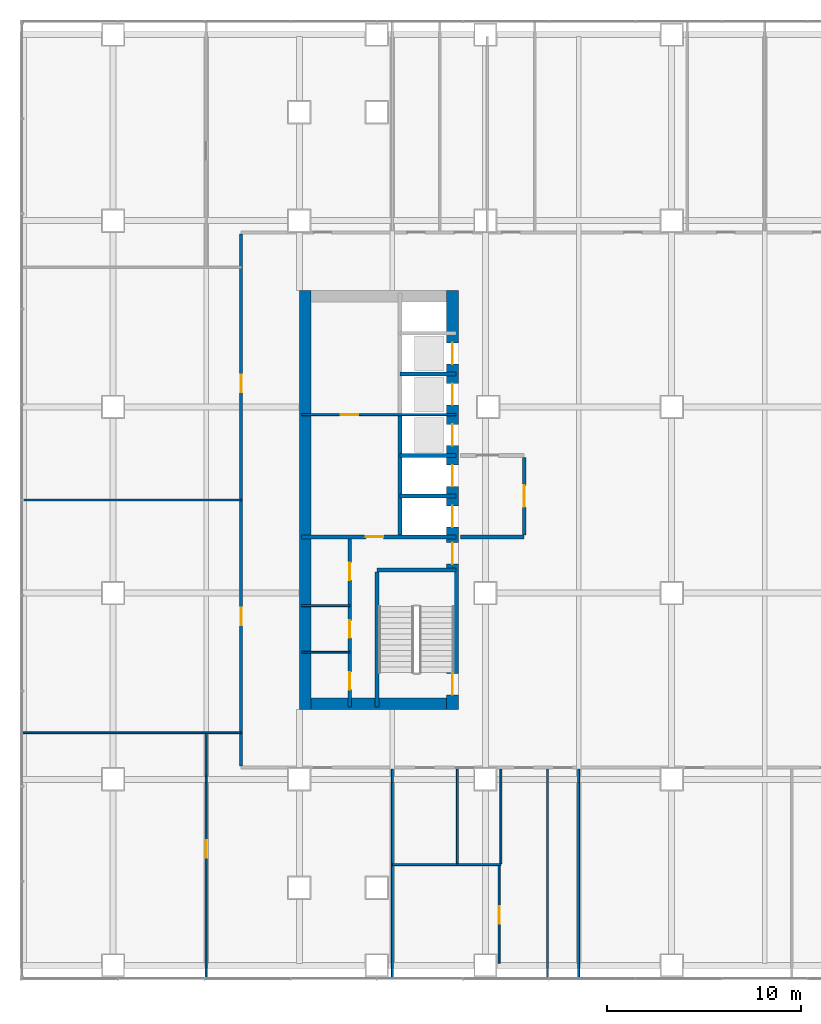
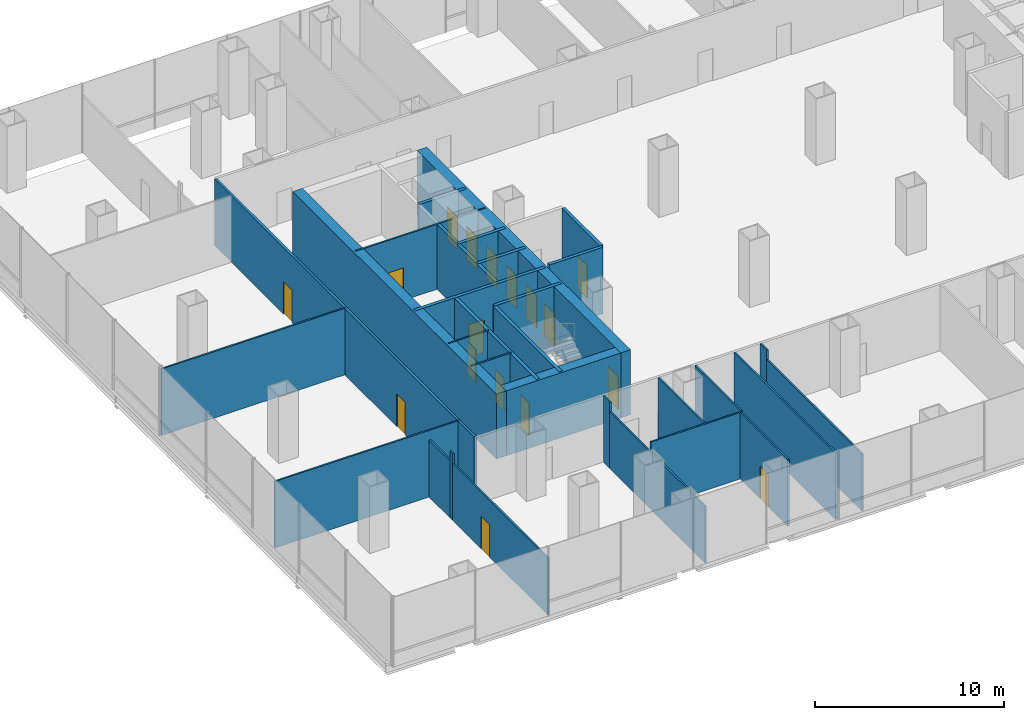
# One storey, part 16 of 23: 31 walls, 17 doors, 17 openings.
"""IFC4 building model written with IfcOpenShell, lengths in metres."""

from ifc_helpers import new_model, si_unit, direction, frame, frame_2d, origin, place, context, subcontext, project, spatial, rectangle, extrude, material, layer, layer_set, type_object, element, fill, save


model = new_model("IFC4")

# Units and contexts
model_context = context("Model", 3, precision=1e-05, world=origin(), true_north=direction((0.0, 1.0)))
body_context = subcontext(model_context, "Body", "Model", "MODEL_VIEW")
ifc_project = project(units=[si_unit("LENGTHUNIT", "METRE"), si_unit("AREAUNIT", "SQUARE_METRE"), si_unit("VOLUMEUNIT", "CUBIC_METRE"), si_unit("PLANEANGLEUNIT", "RADIAN"), si_unit("MASSUNIT", "GRAM", prefix="KILO")], contexts=[model_context])

# Site, building, storey
site_placement = place(None, origin())
site = spatial("IfcSite", under=ifc_project, at=site_placement, CompositionType="ELEMENT")
building_placement = place(site_placement, origin())
building = spatial("IfcBuilding", under=site, at=building_placement, Name="Cobrizo Arcos Hotel Tower", CompositionType="ELEMENT")
storey_placement = place(building_placement, frame((0.0, 0.0, 20.0)))
storey = spatial("IfcBuildingStorey", under=building, at=storey_placement, Name="L03", CompositionType="ELEMENT", Elevation=20.0)

# Wall, openings, doors
ifc_material_1 = material(Name="Gypsum board partition")
ifc_layer_1 = layer(ifc_material_1, 0.14990234375)
ifc_layer_set_1 = layer_set([ifc_layer_1], Name="Corridor wall EI 60 150")
wall_type_1 = type_object("IfcWallType", Name="Corridor wall EI 60 150", PredefinedType="PARTITIONING", material=ifc_layer_set_1)
wall_1_placement = place(storey_placement, frame((-27.0, -13.72509765625, 0.0), z_axis=(0.0, 0.0, 1.0), x_axis=(0.0, 1.0, 0.0)))
wall_1 = element("IfcWall", 1, at=wall_1_placement, inside=storey, type_object=wall_type_1, Name="Partition 038", PredefinedType="PARTITIONING", context=body_context, shape_type="SweptSolid", body=[
    extrude(rectangle(XDim=27.4501953125, YDim=0.14990234375, at=frame_2d((13.72509765625, 0.0))), origin(), (0.0, 0.0, 1.0), 4.300048828125),
])
opening_1_placement = place(wall_1_placement, frame((7.27490234375, 0.0, 0.0)))
opening_1 = element("IfcOpeningElement", 2, at=opening_1_placement, cuts=wall_1, Name="Opening RD-23", PredefinedType="OPENING", context=body_context, shape_type="SweptSolid", body=[
    extrude(rectangle(XDim=0.89990234375, YDim=2.10009765625, at=frame_2d((0.449951171875, 1.050048828125))), frame((0.0, 0.0869140625, 0.0), z_axis=(0.0, -1.0, 0.0), x_axis=(1.0, 0.0, 0.0)), (0.0, 0.0, 1.0), 0.173828125),
])
opening_2_placement = place(wall_1_placement, frame((19.27490234375, 0.0, 0.0)))
opening_2 = element("IfcOpeningElement", 3, at=opening_2_placement, cuts=wall_1, Name="Opening RD-24", PredefinedType="OPENING", context=body_context, shape_type="SweptSolid", body=[
    extrude(rectangle(XDim=0.89990234375, YDim=2.10009765625, at=frame_2d((0.449951171875, 1.050048828125))), frame((0.0, 0.0869140625, 0.0), z_axis=(0.0, -1.0, 0.0), x_axis=(1.0, 0.0, 0.0)), (0.0, 0.0, 1.0), 0.173828125),
])
ifc_material_2 = material(Name="Timber door leaf", Category="wood")
door_type_1 = type_object("IfcDoorType", Name="Room door FD30 900x2100", OperationType="SINGLE_SWING_LEFT", PredefinedType="DOOR", material=ifc_material_2)
door_1_placement = place(opening_1_placement, origin())
door_1 = element("IfcDoor", 4, at=door_1_placement, inside=storey, type_object=door_type_1, Name="Door RD-23", OperationType="SINGLE_SWING_RIGHT", OverallHeight=2.10009765625, OverallWidth=0.89990234375, PredefinedType="DOOR", context=body_context, shape_type="SweptSolid", body=[
    extrude(rectangle(XDim=0.89990234375, YDim=2.10009765625, at=frame_2d((0.449951171875, 1.050048828125))), frame((0.0, 0.02490234375, 0.0), z_axis=(0.0, -1.0, 0.0), x_axis=(1.0, 0.0, 0.0)), (0.0, 0.0, 1.0), 0.050048828125),
])
fill(opening_1, door_1)
door_2_placement = place(opening_2_placement, origin())
door_2 = element("IfcDoor", 5, at=door_2_placement, inside=storey, type_object=door_type_1, Name="Door RD-24", OperationType="SINGLE_SWING_LEFT", OverallHeight=2.10009765625, OverallWidth=0.89990234375, PredefinedType="DOOR", context=body_context, shape_type="SweptSolid", body=[
    extrude(rectangle(XDim=0.89990234375, YDim=2.10009765625, at=frame_2d((0.449951171875, 1.050048828125))), frame((0.0, 0.02490234375, 0.0), z_axis=(0.0, -1.0, 0.0), x_axis=(1.0, 0.0, 0.0)), (0.0, 0.0, 1.0), 0.050048828125),
])
fill(opening_2, door_2)

# Walls
ifc_layer_2 = layer(ifc_material_1, 0.10009765625)
ifc_layer_set_2 = layer_set([ifc_layer_2], Name="Partition EI 30 100")
wall_type_2 = type_object("IfcWallType", Name="Partition EI 30 100", PredefinedType="PARTITIONING", material=ifc_layer_set_2)
wall_2_placement = place(storey_placement, frame((-19.199951171875, -18.800048828125, 0.0), z_axis=(0.0, 0.0, 1.0), x_axis=(1.0, 0.0, 0.0)))
element("IfcWall", 6, at=wall_2_placement, inside=storey, type_object=wall_type_2, Name="Partition 001", PredefinedType="PARTITIONING", context=body_context, shape_type="SweptSolid", body=[
    extrude(rectangle(XDim=5.599853515625, YDim=0.10009765625, at=frame_2d((2.7998046875, 0.0))), origin(), (0.0, 0.0, 1.0), 4.300048828125),
])
wall_3_placement = place(storey_placement, frame((-38.280029296875, -12.0, 0.0), z_axis=(0.0, 0.0, 1.0), x_axis=(1.0, 0.0, 0.0)))
element("IfcWall", 7, at=wall_3_placement, inside=storey, type_object=wall_type_2, Name="Partition 003", PredefinedType="PARTITIONING", context=body_context, shape_type="SweptSolid", body=[
    extrude(rectangle(XDim=11.280029296875, YDim=0.10009765625, at=frame_2d((5.64013671875, 0.0))), origin(), (0.0, 0.0, 1.0), 4.300048828125),
])
for number, where, z_axis, x_axis, name in (
    (8, (-23.8798828125, -7.85009765625, 0.0), (0.0, 0.0, 1.0), (1.0, 0.0, 0.0), "Partition 005"),
    (9, (-23.8798828125, -5.449951171875, 0.0), (0.0, 0.0, 1.0), (1.0, 0.0, 0.0), "Partition 007"),
):
    element("IfcWall", number, at=place(storey_placement, frame(where, z_axis=z_axis, x_axis=x_axis)), inside=storey, type_object=wall_type_2, Name=name, PredefinedType="PARTITIONING", context=body_context, shape_type="SweptSolid", body=[
        extrude(rectangle(XDim=2.47998046875, YDim=0.10009765625, at=frame_2d((1.239990234375, 0.0))), origin(), (0.0, 0.0, 1.0), 4.199951171875),
    ])
wall_4_placement = place(storey_placement, frame((-38.280029296875, 0.0, 0.0), z_axis=(0.0, 0.0, 1.0), x_axis=(1.0, 0.0, 0.0)))
element("IfcWall", 10, at=wall_4_placement, inside=storey, type_object=wall_type_2, Name="Partition 015", PredefinedType="PARTITIONING", context=body_context, shape_type="SweptSolid", body=[
    extrude(rectangle(XDim=11.280029296875, YDim=0.10009765625, at=frame_2d((5.64013671875, 0.0))), origin(), (0.0, 0.0, 1.0), 4.300048828125),
])

# Wall, opening, door
wall_5_placement = place(storey_placement, frame((-23.8798828125, 4.39990234375, 0.0), z_axis=(0.0, 0.0, 1.0), x_axis=(1.0, 0.0, 0.0)))
wall_5 = element("IfcWall", 11, at=wall_5_placement, inside=storey, type_object=wall_type_2, Name="Partition 023", PredefinedType="PARTITIONING", context=body_context, shape_type="SweptSolid", body=[
    extrude(rectangle(XDim=7.9599609375, YDim=0.10009765625, at=frame_2d((3.97998046875, 0.0))), origin(), (0.0, 0.0, 1.0), 4.199951171875),
])
opening_3_placement = place(wall_5_placement, frame((2.030029296875, 0.0, 0.0)))
opening_3 = element("IfcOpeningElement", 12, at=opening_3_placement, cuts=wall_5, Name="Opening RD-05", PredefinedType="OPENING", context=body_context, shape_type="SweptSolid", body=[
    extrude(rectangle(XDim=0.89990234375, YDim=2.10009765625, at=frame_2d((0.449951171875, 1.050048828125))), frame((0.0, 0.06201171875, 0.0), z_axis=(0.0, -1.0, 0.0), x_axis=(1.0, 0.0, 0.0)), (0.0, 0.0, 1.0), 0.1240234375),
])
door_3_placement = place(opening_3_placement, origin())
door_3 = element("IfcDoor", 13, at=door_3_placement, inside=storey, type_object=door_type_1, Name="Door RD-05", OperationType="SINGLE_SWING_LEFT", OverallHeight=2.10009765625, OverallWidth=0.89990234375, PredefinedType="DOOR", context=body_context, shape_type="SweptSolid", body=[
    extrude(rectangle(XDim=0.89990234375, YDim=2.10009765625, at=frame_2d((0.449951171875, 1.050048828125))), frame((0.0, 0.02490234375, 0.0), z_axis=(0.0, -1.0, 0.0), x_axis=(1.0, 0.0, 0.0)), (0.0, 0.0, 1.0), 0.050048828125),
])
fill(opening_3, door_3)

wall_6_placement = place(storey_placement, frame((-28.800048828125, -24.6298828125, 0.0), z_axis=(0.0, 0.0, 1.0), x_axis=(0.0, 1.0, 0.0)))
wall_6 = element("IfcWall", 14, at=wall_6_placement, inside=storey, type_object=wall_type_2, Name="Partition 032", PredefinedType="PARTITIONING", context=body_context, shape_type="SweptSolid", body=[
    extrude(rectangle(XDim=10.076171875, YDim=0.10009765625, at=frame_2d((5.0380859375, 0.0))), origin(), (0.0, 0.0, 1.0), 3.68310546875),
])
opening_4_placement = place(wall_6_placement, frame((6.179931640625, 0.0, 0.0)))
opening_4 = element("IfcOpeningElement", 15, at=opening_4_placement, cuts=wall_6, Name="Opening RD-32", PredefinedType="OPENING", context=body_context, shape_type="SweptSolid", body=[
    extrude(rectangle(XDim=0.89990234375, YDim=2.10009765625, at=frame_2d((0.449951171875, 1.050048828125))), frame((0.0, 0.06201171875, 0.0), z_axis=(0.0, -1.0, 0.0), x_axis=(1.0, 0.0, 0.0)), (0.0, 0.0, 1.0), 0.1240234375),
])
door_4_placement = place(opening_4_placement, origin())
door_4 = element("IfcDoor", 16, at=door_4_placement, inside=storey, type_object=door_type_1, Name="Door RD-32", OperationType="SINGLE_SWING_LEFT", OverallHeight=2.10009765625, OverallWidth=0.89990234375, PredefinedType="DOOR", context=body_context, shape_type="SweptSolid", body=[
    extrude(rectangle(XDim=0.89990234375, YDim=2.10009765625, at=frame_2d((0.449951171875, 1.050048828125))), frame((0.0, 0.02490234375, 0.0), z_axis=(0.0, -1.0, 0.0), x_axis=(1.0, 0.0, 0.0)), (0.0, 0.0, 1.0), 0.050048828125),
])
fill(opening_4, door_4)

# Walls
wall_7_placement = place(storey_placement, frame((-28.800048828125, -14.553955078125, 0.0), z_axis=(0.0, 0.0, 1.0), x_axis=(0.0, 1.0, 0.0)))
element("IfcWall", 17, at=wall_7_placement, inside=storey, type_object=wall_type_2, Name="Partition 033", PredefinedType="PARTITIONING", context=body_context, shape_type="SweptSolid", body=[
    extrude(rectangle(XDim=0.307861328125, YDim=0.10009765625, at=frame_2d((0.15380859375, 0.0))), origin(), (0.0, 0.0, 1.0), 4.300048828125),
])
wall_8_placement = place(storey_placement, frame((-28.800048828125, -14.24609375, 0.0), z_axis=(0.0, 0.0, 1.0), x_axis=(0.0, 1.0, 0.0)))
element("IfcWall", 18, at=wall_8_placement, inside=storey, type_object=wall_type_2, Name="Partition 034", PredefinedType="PARTITIONING", context=body_context, shape_type="SweptSolid", body=[
    extrude(rectangle(XDim=2.196044921875, YDim=0.10009765625, at=frame_2d((1.09814453125, 0.0))), origin(), (0.0, 0.0, 1.0), 3.68310546875),
])
wall_9_placement = place(storey_placement, frame((-19.199951171875, -24.6298828125, 0.0), z_axis=(0.0, 0.0, 1.0), x_axis=(0.0, 1.0, 0.0)))
element("IfcWall", 19, at=wall_9_placement, inside=storey, type_object=wall_type_2, Name="Partition 041", PredefinedType="PARTITIONING", context=body_context, shape_type="SweptSolid", body=[
    extrude(rectangle(XDim=10.076171875, YDim=0.10009765625, at=frame_2d((5.0380859375, 0.0))), origin(), (0.0, 0.0, 1.0), 3.68310546875),
])
wall_10_placement = place(storey_placement, frame((-19.199951171875, -14.553955078125, 0.0), z_axis=(0.0, 0.0, 1.0), x_axis=(0.0, 1.0, 0.0)))
element("IfcWall", 20, at=wall_10_placement, inside=storey, type_object=wall_type_2, Name="Partition 042", PredefinedType="PARTITIONING", context=body_context, shape_type="SweptSolid", body=[
    extrude(rectangle(XDim=0.678955078125, YDim=0.10009765625, at=frame_2d((0.33935546875, 0.0))), origin(), (0.0, 0.0, 1.0), 4.300048828125),
])
wall_11_placement = place(storey_placement, frame((-15.85009765625, -18.75, 0.0), z_axis=(0.0, 0.0, 1.0), x_axis=(0.0, 1.0, 0.0)))
element("IfcWall", 21, at=wall_11_placement, inside=storey, type_object=wall_type_2, Name="Partition 048", PredefinedType="PARTITIONING", context=body_context, shape_type="SweptSolid", body=[
    extrude(rectangle(XDim=4.875, YDim=0.10009765625, at=frame_2d((2.4375, 0.0))), origin(), (0.0, 0.0, 1.0), 4.300048828125),
])

# Wall, opening, door
wall_12_placement = place(storey_placement, frame((-13.699951171875, -23.8798828125, 0.0), z_axis=(0.0, 0.0, 1.0), x_axis=(0.0, 1.0, 0.0)))
wall_12 = element("IfcWall", 22, at=wall_12_placement, inside=storey, type_object=wall_type_2, Name="Partition 052", PredefinedType="PARTITIONING", context=body_context, shape_type="SweptSolid", body=[
    extrude(rectangle(XDim=5.02978515625, YDim=0.10009765625, at=frame_2d((2.514892578125, 0.0))), origin(), (0.0, 0.0, 1.0), 4.300048828125),
])
opening_5_placement = place(wall_12_placement, frame((2.030029296875, 0.0, 0.0)))
opening_5 = element("IfcOpeningElement", 23, at=opening_5_placement, cuts=wall_12, Name="Opening RD-31", PredefinedType="OPENING", context=body_context, shape_type="SweptSolid", body=[
    extrude(rectangle(XDim=0.89990234375, YDim=2.10009765625, at=frame_2d((0.449951171875, 1.050048828125))), frame((0.0, 0.06201171875, 0.0), z_axis=(0.0, -1.0, 0.0), x_axis=(1.0, 0.0, 0.0)), (0.0, 0.0, 1.0), 0.1240234375),
])
door_5_placement = place(opening_5_placement, origin())
door_5 = element("IfcDoor", 24, at=door_5_placement, inside=storey, type_object=door_type_1, Name="Door RD-31", OperationType="SINGLE_SWING_LEFT", OverallHeight=2.10009765625, OverallWidth=0.89990234375, PredefinedType="DOOR", context=body_context, shape_type="SweptSolid", body=[
    extrude(rectangle(XDim=0.89990234375, YDim=2.10009765625, at=frame_2d((0.449951171875, 1.050048828125))), frame((0.0, 0.02490234375, 0.0), z_axis=(0.0, -1.0, 0.0), x_axis=(1.0, 0.0, 0.0)), (0.0, 0.0, 1.0), 0.050048828125),
])
fill(opening_5, door_5)

# Walls
wall_13_placement = place(storey_placement, frame((-13.60009765625, -18.75, 0.0), z_axis=(0.0, 0.0, 1.0), x_axis=(0.0, 1.0, 0.0)))
element("IfcWall", 25, at=wall_13_placement, inside=storey, type_object=wall_type_2, Name="Partition 053", PredefinedType="PARTITIONING", context=body_context, shape_type="SweptSolid", body=[
    extrude(rectangle(XDim=4.875, YDim=0.10009765625, at=frame_2d((2.4375, 0.0))), origin(), (0.0, 0.0, 1.0), 4.300048828125),
])
wall_14_placement = place(storey_placement, frame((-11.199951171875, -24.6298828125, 0.0), z_axis=(0.0, 0.0, 1.0), x_axis=(0.0, 1.0, 0.0)))
element("IfcWall", 26, at=wall_14_placement, inside=storey, type_object=wall_type_2, Name="Partition 056", PredefinedType="PARTITIONING", context=body_context, shape_type="SweptSolid", body=[
    extrude(rectangle(XDim=10.7548828125, YDim=0.10009765625, at=frame_2d((5.37744140625, 0.0))), origin(), (0.0, 0.0, 1.0), 4.300048828125),
])
wall_15_placement = place(storey_placement, frame((-9.60009765625, -24.6298828125, 0.0), z_axis=(0.0, 0.0, 1.0), x_axis=(0.0, 1.0, 0.0)))
element("IfcWall", 27, at=wall_15_placement, inside=storey, type_object=wall_type_2, Name="Partition 057", PredefinedType="PARTITIONING", context=body_context, shape_type="SweptSolid", body=[
    extrude(rectangle(XDim=10.076171875, YDim=0.10009765625, at=frame_2d((5.0380859375, 0.0))), origin(), (0.0, 0.0, 1.0), 3.68310546875),
])
wall_16_placement = place(storey_placement, frame((-9.60009765625, -14.553955078125, 0.0), z_axis=(0.0, 0.0, 1.0), x_axis=(0.0, 1.0, 0.0)))
element("IfcWall", 28, at=wall_16_placement, inside=storey, type_object=wall_type_2, Name="Partition 058", PredefinedType="PARTITIONING", context=body_context, shape_type="SweptSolid", body=[
    extrude(rectangle(XDim=0.678955078125, YDim=0.10009765625, at=frame_2d((0.33935546875, 0.0))), origin(), (0.0, 0.0, 1.0), 4.300048828125),
])

# Wall, openings, doors
ifc_material_3 = material(Name="Concrete f'c 60 MPa", Category="concrete")
ifc_layer_3 = layer(ifc_material_3, 0.60009765625)
ifc_layer_set_3 = layer_set([ifc_layer_3], Name="RC core wall 600 f'c 60")
wall_type_3 = type_object("IfcWallType", Name="RC core wall 600 f'c 60", PredefinedType="SHEAR", material=ifc_layer_set_3)
wall_17_placement = place(storey_placement, frame((-16.10009765625, -10.800048828125, 0.0), z_axis=(0.0, 0.0, 1.0), x_axis=(0.0, 1.0, 0.0)))
wall_17 = element("IfcWall", 29, at=wall_17_placement, inside=storey, type_object=wall_type_3, Name="Core wall CW1, west core, inner face, L03", PredefinedType="SHEAR", context=body_context, shape_type="SweptSolid", body=[
    extrude(rectangle(XDim=21.60009765625, YDim=0.60009765625, at=frame_2d((10.800048828125, 0.0))), origin(), (0.0, 0.0, 1.0), 4.199951171875),
])
opening_6_placement = place(wall_17_placement, frame((9.39990234375, 0.0, 0.0)))
opening_6 = element("IfcOpeningElement", 30, at=opening_6_placement, cuts=wall_17, Name="Opening LD-01", PredefinedType="OPENING", context=body_context, shape_type="SweptSolid", body=[
    extrude(rectangle(XDim=1.10009765625, YDim=2.10009765625, at=frame_2d((0.550048828125, 1.050048828125))), frame((0.0, 0.31201171875, 0.0), z_axis=(0.0, -1.0, 0.0), x_axis=(1.0, 0.0, 0.0)), (0.0, 0.0, 1.0), 0.6240234375),
])
opening_7_placement = place(wall_17_placement, frame((11.5, 0.0, 0.0)))
opening_7 = element("IfcOpeningElement", 31, at=opening_7_placement, cuts=wall_17, Name="Opening LD-02", PredefinedType="OPENING", context=body_context, shape_type="SweptSolid", body=[
    extrude(rectangle(XDim=1.10009765625, YDim=2.10009765625, at=frame_2d((0.550048828125, 1.050048828125))), frame((0.0, 0.31201171875, 0.0), z_axis=(0.0, -1.0, 0.0), x_axis=(1.0, 0.0, 0.0)), (0.0, 0.0, 1.0), 0.6240234375),
])
opening_8_placement = place(wall_17_placement, frame((13.60009765625, 0.0, 0.0)))
opening_8 = element("IfcOpeningElement", 32, at=opening_8_placement, cuts=wall_17, Name="Opening LD-03", PredefinedType="OPENING", context=body_context, shape_type="SweptSolid", body=[
    extrude(rectangle(XDim=1.10009765625, YDim=2.10009765625, at=frame_2d((0.550048828125, 1.050048828125))), frame((0.0, 0.31201171875, 0.0), z_axis=(0.0, -1.0, 0.0), x_axis=(1.0, 0.0, 0.0)), (0.0, 0.0, 1.0), 0.6240234375),
])
opening_9_placement = place(wall_17_placement, frame((15.699951171875, 0.0, 0.0)))
opening_9 = element("IfcOpeningElement", 33, at=opening_9_placement, cuts=wall_17, Name="Opening LD-04", PredefinedType="OPENING", context=body_context, shape_type="SweptSolid", body=[
    extrude(rectangle(XDim=1.10009765625, YDim=2.10009765625, at=frame_2d((0.550048828125, 1.050048828125))), frame((0.0, 0.31201171875, 0.0), z_axis=(0.0, -1.0, 0.0), x_axis=(1.0, 0.0, 0.0)), (0.0, 0.0, 1.0), 0.6240234375),
])
opening_10_placement = place(wall_17_placement, frame((17.800048828125, 0.0, 0.0)))
opening_10 = element("IfcOpeningElement", 34, at=opening_10_placement, cuts=wall_17, Name="Opening LD-05", PredefinedType="OPENING", context=body_context, shape_type="SweptSolid", body=[
    extrude(rectangle(XDim=1.10009765625, YDim=2.10009765625, at=frame_2d((0.550048828125, 1.050048828125))), frame((0.0, 0.31201171875, 0.0), z_axis=(0.0, -1.0, 0.0), x_axis=(1.0, 0.0, 0.0)), (0.0, 0.0, 1.0), 0.6240234375),
])
opening_11_placement = place(wall_17_placement, frame((0.758056640625, 0.0, 0.0)))
opening_11 = element("IfcOpeningElement", 35, at=opening_11_placement, cuts=wall_17, Name="Opening SD-01", PredefinedType="OPENING", context=body_context, shape_type="SweptSolid", body=[
    extrude(rectangle(XDim=1.10009765625, YDim=2.10009765625, at=frame_2d((0.550048828125, 1.050048828125))), frame((0.0, 0.31201171875, 0.0), z_axis=(0.0, -1.0, 0.0), x_axis=(1.0, 0.0, 0.0)), (0.0, 0.0, 1.0), 0.6240234375),
])
opening_12_placement = place(wall_17_placement, frame((7.5, 0.0, 0.0)))
opening_12 = element("IfcOpeningElement", 36, at=opening_12_placement, cuts=wall_17, Name="Opening FD-01", PredefinedType="OPENING", context=body_context, shape_type="SweptSolid", body=[
    extrude(rectangle(XDim=1.10009765625, YDim=2.10009765625, at=frame_2d((0.550048828125, 1.050048828125))), frame((0.0, 0.31201171875, 0.0), z_axis=(0.0, -1.0, 0.0), x_axis=(1.0, 0.0, 0.0)), (0.0, 0.0, 1.0), 0.6240234375),
])
ifc_material_4 = material(Name="Steel door leaf", Category="steel")
door_type_2 = type_object("IfcDoorType", Name="Fire door FD60 1100x2100", OperationType="SINGLE_SWING_LEFT", PredefinedType="DOOR", material=ifc_material_4)
door_6_placement = place(opening_12_placement, origin())
door_6 = element("IfcDoor", 37, at=door_6_placement, inside=storey, type_object=door_type_2, Name="Door FD-01", OperationType="SINGLE_SWING_LEFT", OverallHeight=2.10009765625, OverallWidth=1.10009765625, PredefinedType="DOOR", context=body_context, shape_type="SweptSolid", body=[
    extrude(rectangle(XDim=1.10009765625, YDim=2.10009765625, at=frame_2d((0.550048828125, 1.050048828125))), frame((0.0, 0.02490234375, 0.0), z_axis=(0.0, -1.0, 0.0), x_axis=(1.0, 0.0, 0.0)), (0.0, 0.0, 1.0), 0.050048828125),
])
fill(opening_12, door_6)
door_type_3 = type_object("IfcDoorType", Name="Lift landing door 1100x2100", OperationType="SLIDING_TO_LEFT", PredefinedType="DOOR", material=ifc_material_4)
door_7_placement = place(opening_6_placement, origin())
door_7 = element("IfcDoor", 38, at=door_7_placement, inside=storey, type_object=door_type_3, Name="Lift landing door LD-01", OperationType="SLIDING_TO_LEFT", OverallHeight=2.10009765625, OverallWidth=1.10009765625, PredefinedType="DOOR", context=body_context, shape_type="SweptSolid", body=[
    extrude(rectangle(XDim=1.10009765625, YDim=2.10009765625, at=frame_2d((0.550048828125, 1.050048828125))), frame((0.0, 0.02490234375, 0.0), z_axis=(0.0, -1.0, 0.0), x_axis=(1.0, 0.0, 0.0)), (0.0, 0.0, 1.0), 0.050048828125),
])
fill(opening_6, door_7)
door_8_placement = place(opening_7_placement, origin())
door_8 = element("IfcDoor", 39, at=door_8_placement, inside=storey, type_object=door_type_3, Name="Lift landing door LD-02", OperationType="SLIDING_TO_LEFT", OverallHeight=2.10009765625, OverallWidth=1.10009765625, PredefinedType="DOOR", context=body_context, shape_type="SweptSolid", body=[
    extrude(rectangle(XDim=1.10009765625, YDim=2.10009765625, at=frame_2d((0.550048828125, 1.050048828125))), frame((0.0, 0.02490234375, 0.0), z_axis=(0.0, -1.0, 0.0), x_axis=(1.0, 0.0, 0.0)), (0.0, 0.0, 1.0), 0.050048828125),
])
fill(opening_7, door_8)
door_9_placement = place(opening_8_placement, origin())
door_9 = element("IfcDoor", 40, at=door_9_placement, inside=storey, type_object=door_type_3, Name="Lift landing door LD-03", OperationType="SLIDING_TO_LEFT", OverallHeight=2.10009765625, OverallWidth=1.10009765625, PredefinedType="DOOR", context=body_context, shape_type="SweptSolid", body=[
    extrude(rectangle(XDim=1.10009765625, YDim=2.10009765625, at=frame_2d((0.550048828125, 1.050048828125))), frame((0.0, 0.02490234375, 0.0), z_axis=(0.0, -1.0, 0.0), x_axis=(1.0, 0.0, 0.0)), (0.0, 0.0, 1.0), 0.050048828125),
])
fill(opening_8, door_9)
door_10_placement = place(opening_9_placement, origin())
door_10 = element("IfcDoor", 41, at=door_10_placement, inside=storey, type_object=door_type_3, Name="Lift landing door LD-04", OperationType="SLIDING_TO_LEFT", OverallHeight=2.10009765625, OverallWidth=1.10009765625, PredefinedType="DOOR", context=body_context, shape_type="SweptSolid", body=[
    extrude(rectangle(XDim=1.10009765625, YDim=2.10009765625, at=frame_2d((0.550048828125, 1.050048828125))), frame((0.0, 0.02490234375, 0.0), z_axis=(0.0, -1.0, 0.0), x_axis=(1.0, 0.0, 0.0)), (0.0, 0.0, 1.0), 0.050048828125),
])
fill(opening_9, door_10)
door_11_placement = place(opening_10_placement, origin())
door_11 = element("IfcDoor", 42, at=door_11_placement, inside=storey, type_object=door_type_3, Name="Lift landing door LD-05", OperationType="SLIDING_TO_LEFT", OverallHeight=2.10009765625, OverallWidth=1.10009765625, PredefinedType="DOOR", context=body_context, shape_type="SweptSolid", body=[
    extrude(rectangle(XDim=1.10009765625, YDim=2.10009765625, at=frame_2d((0.550048828125, 1.050048828125))), frame((0.0, 0.02490234375, 0.0), z_axis=(0.0, -1.0, 0.0), x_axis=(1.0, 0.0, 0.0)), (0.0, 0.0, 1.0), 0.050048828125),
])
fill(opening_10, door_11)
door_type_4 = type_object("IfcDoorType", Name="Stair door FD60S 1100x2100", OperationType="SINGLE_SWING_LEFT", PredefinedType="DOOR", material=ifc_material_4)
door_12_placement = place(opening_11_placement, origin())
door_12 = element("IfcDoor", 43, at=door_12_placement, inside=storey, type_object=door_type_4, Name="Door SD-01", OperationType="SINGLE_SWING_RIGHT", OverallHeight=2.10009765625, OverallWidth=1.10009765625, PredefinedType="DOOR", context=body_context, shape_type="SweptSolid", body=[
    extrude(rectangle(XDim=1.10009765625, YDim=2.10009765625, at=frame_2d((0.550048828125, 1.050048828125))), frame((0.0, 0.02490234375, 0.0), z_axis=(0.0, -1.0, 0.0), x_axis=(1.0, 0.0, 0.0)), (0.0, 0.0, 1.0), 0.050048828125),
])
fill(opening_11, door_12)

# Walls
wall_18_placement = place(storey_placement, frame((-23.699951171875, -10.800048828125, 0.0), z_axis=(0.0, 0.0, 1.0), x_axis=(0.0, 1.0, 0.0)))
element("IfcWall", 44, at=wall_18_placement, inside=storey, type_object=wall_type_3, Name="Core wall CW1, west core, outer face, L03", PredefinedType="SHEAR", context=body_context, shape_type="SweptSolid", body=[
    extrude(rectangle(XDim=21.60009765625, YDim=0.60009765625, at=frame_2d((10.800048828125, 0.0))), origin(), (0.0, 0.0, 1.0), 4.199951171875),
])
wall_19_placement = place(storey_placement, frame((-23.39990234375, -10.5, 0.0), z_axis=(0.0, 0.0, 1.0), x_axis=(1.0, 0.0, 0.0)))
element("IfcWall", 45, at=wall_19_placement, inside=storey, type_object=wall_type_3, Name="Core wall CW1, west core, south end, L03", PredefinedType="SHEAR", context=body_context, shape_type="SweptSolid", body=[
    extrude(rectangle(XDim=7.0, YDim=0.60009765625, at=frame_2d((3.5, 0.0))), origin(), (0.0, 0.0, 1.0), 4.199951171875),
])

# Wall, opening, door
ifc_layer_4 = layer(ifc_material_1, 0.199951171875)
ifc_layer_set_4 = layer_set([ifc_layer_4], Name="Shaft wall EI 120 200")
wall_type_4 = type_object("IfcWallType", Name="Shaft wall EI 120 200", PredefinedType="PARTITIONING", material=ifc_layer_set_4)
wall_20_placement = place(storey_placement, frame((-23.8798828125, -1.89990234375, 0.0), z_axis=(0.0, 0.0, 1.0), x_axis=(1.0, 0.0, 0.0)))
wall_20 = element("IfcWall", 46, at=wall_20_placement, inside=storey, type_object=wall_type_4, Name="Partition 011", PredefinedType="PARTITIONING", context=body_context, shape_type="SweptSolid", body=[
    extrude(rectangle(XDim=7.9599609375, YDim=0.199951171875, at=frame_2d((3.97998046875, 0.0))), origin(), (0.0, 0.0, 1.0), 4.199951171875),
])
opening_13_placement = place(wall_20_placement, frame((3.320068359375, 0.0, 0.0)))
opening_13 = element("IfcOpeningElement", 47, at=opening_13_placement, cuts=wall_20, Name="Opening RD-04", PredefinedType="OPENING", context=body_context, shape_type="SweptSolid", body=[
    extrude(rectangle(XDim=0.89990234375, YDim=2.10009765625, at=frame_2d((0.449951171875, 1.050048828125))), frame((0.0, 0.112060546875, 0.0), z_axis=(0.0, -1.0, 0.0), x_axis=(1.0, 0.0, 0.0)), (0.0, 0.0, 1.0), 0.223876953125),
])
door_13_placement = place(opening_13_placement, origin())
door_13 = element("IfcDoor", 48, at=door_13_placement, inside=storey, type_object=door_type_1, Name="Door RD-04", OperationType="SINGLE_SWING_RIGHT", OverallHeight=2.10009765625, OverallWidth=0.89990234375, PredefinedType="DOOR", context=body_context, shape_type="SweptSolid", body=[
    extrude(rectangle(XDim=0.89990234375, YDim=2.10009765625, at=frame_2d((0.449951171875, 1.050048828125))), frame((0.0, 0.02490234375, 0.0), z_axis=(0.0, -1.0, 0.0), x_axis=(1.0, 0.0, 0.0)), (0.0, 0.0, 1.0), 0.050048828125),
])
fill(opening_13, door_13)

# Walls
wall_21_placement = place(storey_placement, frame((-15.679931640625, -1.89990234375, 0.0), z_axis=(0.0, 0.0, 1.0), x_axis=(1.0, 0.0, 0.0)))
element("IfcWall", 49, at=wall_21_placement, inside=storey, type_object=wall_type_4, Name="Partition 012", PredefinedType="PARTITIONING", context=body_context, shape_type="SweptSolid", body=[
    extrude(rectangle(XDim=3.280029296875, YDim=0.199951171875, at=frame_2d((1.64013671875, 0.0))), origin(), (0.0, 0.0, 1.0), 4.300048828125),
])
for number, where, z_axis, x_axis, name in (
    (50, (-18.800048828125, 0.199951171875, 0.0), (0.0, 0.0, 1.0), (1.0, 0.0, 0.0), "Partition 017"),
    (51, (-18.800048828125, 2.300048828125, 0.0), (0.0, 0.0, 1.0), (1.0, 0.0, 0.0), "Partition 019"),
    (52, (-18.800048828125, 6.5, 0.0), (0.0, 0.0, 1.0), (1.0, 0.0, 0.0), "Partition 025"),
):
    element("IfcWall", number, at=place(storey_placement, frame(where, z_axis=z_axis, x_axis=x_axis)), inside=storey, type_object=wall_type_4, Name=name, PredefinedType="PARTITIONING", context=body_context, shape_type="SweptSolid", body=[
        extrude(rectangle(XDim=2.880126953125, YDim=0.199951171875, at=frame_2d((1.43994140625, 0.0))), origin(), (0.0, 0.0, 1.0), 4.199951171875),
    ])

# Wall, openings, doors
wall_22_placement = place(storey_placement, frame((-21.39990234375, -10.679931640625, 0.0), z_axis=(0.0, 0.0, 1.0), x_axis=(0.0, 1.0, 0.0)))
wall_22 = element("IfcWall", 53, at=wall_22_placement, inside=storey, type_object=wall_type_4, Name="Partition 039", PredefinedType="PARTITIONING", context=body_context, shape_type="SweptSolid", body=[
    extrude(rectangle(XDim=8.679931640625, YDim=0.199951171875, at=frame_2d((4.33984375, 0.0))), origin(), (0.0, 0.0, 1.0), 4.199951171875),
])
opening_14_placement = place(wall_22_placement, frame((0.89892578125, 0.0, 0.0)))
opening_14 = element("IfcOpeningElement", 54, at=opening_14_placement, cuts=wall_22, Name="Opening RD-01", PredefinedType="OPENING", context=body_context, shape_type="SweptSolid", body=[
    extrude(rectangle(XDim=0.89990234375, YDim=2.10009765625, at=frame_2d((0.449951171875, 1.050048828125))), frame((0.0, 0.112060546875, 0.0), z_axis=(0.0, -1.0, 0.0), x_axis=(1.0, 0.0, 0.0)), (0.0, 0.0, 1.0), 0.223876953125),
])
opening_15_placement = place(wall_22_placement, frame((3.569091796875, 0.0, 0.0)))
opening_15 = element("IfcOpeningElement", 55, at=opening_15_placement, cuts=wall_22, Name="Opening RD-02", PredefinedType="OPENING", context=body_context, shape_type="SweptSolid", body=[
    extrude(rectangle(XDim=0.89990234375, YDim=2.10009765625, at=frame_2d((0.449951171875, 1.050048828125))), frame((0.0, 0.112060546875, 0.0), z_axis=(0.0, -1.0, 0.0), x_axis=(1.0, 0.0, 0.0)), (0.0, 0.0, 1.0), 0.223876953125),
])
opening_16_placement = place(wall_22_placement, frame((6.550048828125, 0.0, 0.0)))
opening_16 = element("IfcOpeningElement", 56, at=opening_16_placement, cuts=wall_22, Name="Opening RD-03", PredefinedType="OPENING", context=body_context, shape_type="SweptSolid", body=[
    extrude(rectangle(XDim=0.89990234375, YDim=2.10009765625, at=frame_2d((0.449951171875, 1.050048828125))), frame((0.0, 0.112060546875, 0.0), z_axis=(0.0, -1.0, 0.0), x_axis=(1.0, 0.0, 0.0)), (0.0, 0.0, 1.0), 0.223876953125),
])
door_14_placement = place(opening_14_placement, origin())
door_14 = element("IfcDoor", 57, at=door_14_placement, inside=storey, type_object=door_type_1, Name="Door RD-01", OperationType="SINGLE_SWING_RIGHT", OverallHeight=2.10009765625, OverallWidth=0.89990234375, PredefinedType="DOOR", context=body_context, shape_type="SweptSolid", body=[
    extrude(rectangle(XDim=0.89990234375, YDim=2.10009765625, at=frame_2d((0.449951171875, 1.050048828125))), frame((0.0, 0.02490234375, 0.0), z_axis=(0.0, -1.0, 0.0), x_axis=(1.0, 0.0, 0.0)), (0.0, 0.0, 1.0), 0.050048828125),
])
fill(opening_14, door_14)
door_15_placement = place(opening_15_placement, origin())
door_15 = element("IfcDoor", 58, at=door_15_placement, inside=storey, type_object=door_type_1, Name="Door RD-02", OperationType="SINGLE_SWING_RIGHT", OverallHeight=2.10009765625, OverallWidth=0.89990234375, PredefinedType="DOOR", context=body_context, shape_type="SweptSolid", body=[
    extrude(rectangle(XDim=0.89990234375, YDim=2.10009765625, at=frame_2d((0.449951171875, 1.050048828125))), frame((0.0, 0.02490234375, 0.0), z_axis=(0.0, -1.0, 0.0), x_axis=(1.0, 0.0, 0.0)), (0.0, 0.0, 1.0), 0.050048828125),
])
fill(opening_15, door_15)
door_16_placement = place(opening_16_placement, origin())
door_16 = element("IfcDoor", 59, at=door_16_placement, inside=storey, type_object=door_type_1, Name="Door RD-03", OperationType="SINGLE_SWING_RIGHT", OverallHeight=2.10009765625, OverallWidth=0.89990234375, PredefinedType="DOOR", context=body_context, shape_type="SweptSolid", body=[
    extrude(rectangle(XDim=0.89990234375, YDim=2.10009765625, at=frame_2d((0.449951171875, 1.050048828125))), frame((0.0, 0.02490234375, 0.0), z_axis=(0.0, -1.0, 0.0), x_axis=(1.0, 0.0, 0.0)), (0.0, 0.0, 1.0), 0.050048828125),
])
fill(opening_16, door_16)

# Wall
wall_23_placement = place(storey_placement, frame((-18.800048828125, -1.800048828125, 0.0), z_axis=(0.0, 0.0, 1.0), x_axis=(0.0, 1.0, 0.0)))
element("IfcWall", 60, at=wall_23_placement, inside=storey, type_object=wall_type_4, Name="Partition 045", PredefinedType="PARTITIONING", context=body_context, shape_type="SweptSolid", body=[
    extrude(rectangle(XDim=6.150146484375, YDim=0.199951171875, at=frame_2d((3.0751953125, 0.0))), origin(), (0.0, 0.0, 1.0), 4.199951171875),
])

# Wall, opening, door
wall_24_placement = place(storey_placement, frame((-12.39990234375, -1.800048828125, 0.0), z_axis=(0.0, 0.0, 1.0), x_axis=(0.0, 1.0, 0.0)))
wall_24 = element("IfcWall", 61, at=wall_24_placement, inside=storey, type_object=wall_type_4, Name="Partition 054", PredefinedType="PARTITIONING", context=body_context, shape_type="SweptSolid", body=[
    extrude(rectangle(XDim=4.0, YDim=0.199951171875, at=frame_2d((2.0, 0.0))), origin(), (0.0, 0.0, 1.0), 4.300048828125),
])
opening_17_placement = place(wall_24_placement, frame((1.449951171875, 0.0, 0.0)))
opening_17 = element("IfcOpeningElement", 62, at=opening_17_placement, cuts=wall_24, Name="Opening FD-02", PredefinedType="OPENING", context=body_context, shape_type="SweptSolid", body=[
    extrude(rectangle(XDim=1.10009765625, YDim=2.10009765625, at=frame_2d((0.550048828125, 1.050048828125))), frame((0.0, 0.112060546875, 0.0), z_axis=(0.0, -1.0, 0.0), x_axis=(1.0, 0.0, 0.0)), (0.0, 0.0, 1.0), 0.223876953125),
])
door_17_placement = place(opening_17_placement, origin())
door_17 = element("IfcDoor", 63, at=door_17_placement, inside=storey, type_object=door_type_2, Name="Door FD-02", OperationType="SINGLE_SWING_RIGHT", OverallHeight=2.10009765625, OverallWidth=1.10009765625, PredefinedType="DOOR", context=body_context, shape_type="SweptSolid", body=[
    extrude(rectangle(XDim=1.10009765625, YDim=2.10009765625, at=frame_2d((0.550048828125, 1.050048828125))), frame((0.0, 0.02490234375, 0.0), z_axis=(0.0, -1.0, 0.0), x_axis=(1.0, 0.0, 0.0)), (0.0, 0.0, 1.0), 0.050048828125),
])
fill(opening_17, door_17)

# Walls
ifc_material_5 = material(Name="Concrete f'c 40 MPa", Category="concrete")
ifc_layer_5 = layer(ifc_material_5, 0.199951171875)
ifc_layer_set_5 = layer_set([ifc_layer_5], Name="Stair shaft wall 200")
wall_type_5 = type_object("IfcWallType", Name="Stair shaft wall 200", PredefinedType="SHEAR", material=ifc_layer_set_5)
wall_25_placement = place(storey_placement, frame((-20.0, -3.60009765625, 0.0), z_axis=(0.0, 0.0, 1.0), x_axis=(1.0, 0.0, 0.0)))
element("IfcWall", 64, at=wall_25_placement, inside=storey, type_object=wall_type_5, Name="Stair shaft wall W", PredefinedType="SHEAR", context=body_context, shape_type="SweptSolid", body=[
    extrude(rectangle(XDim=4.080078125, YDim=0.199951171875, at=frame_2d((2.0400390625, 0.0))), origin(), (0.0, 0.0, 1.0), 4.199951171875),
])
wall_26_placement = place(storey_placement, frame((-20.0, -10.679931640625, 0.0), z_axis=(0.0, 0.0, 1.0), x_axis=(0.0, 1.0, 0.0)))
element("IfcWall", 65, at=wall_26_placement, inside=storey, type_object=wall_type_5, Name="Stair shaft wall W", PredefinedType="SHEAR", context=body_context, shape_type="SweptSolid", body=[
    extrude(rectangle(XDim=6.97998046875, YDim=0.199951171875, at=frame_2d((3.489990234375, 0.0))), origin(), (0.0, 0.0, 1.0), 4.199951171875),
])

save(model, "model.ifc")
